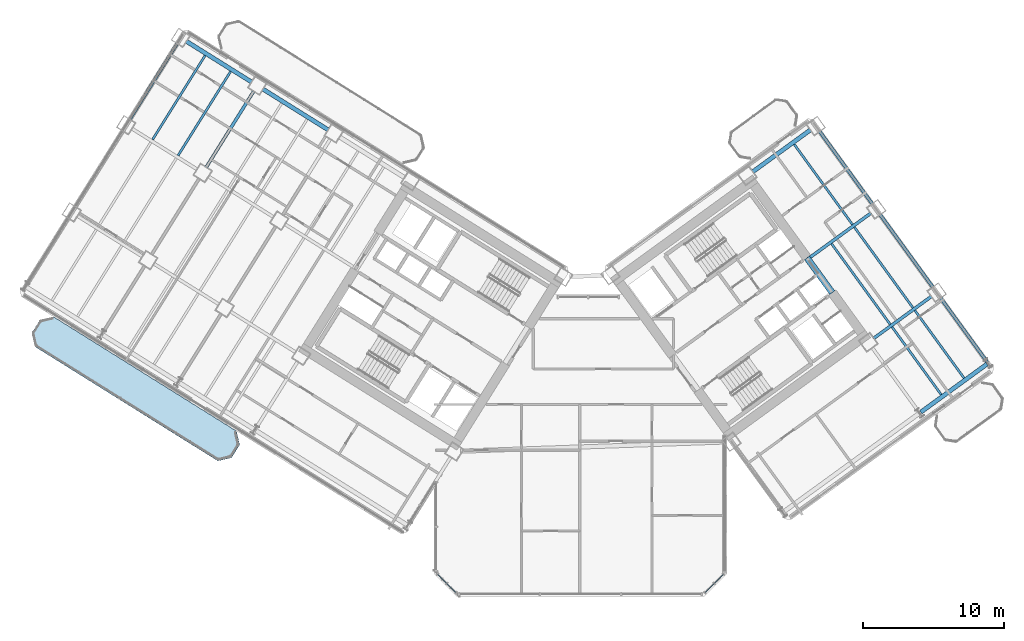
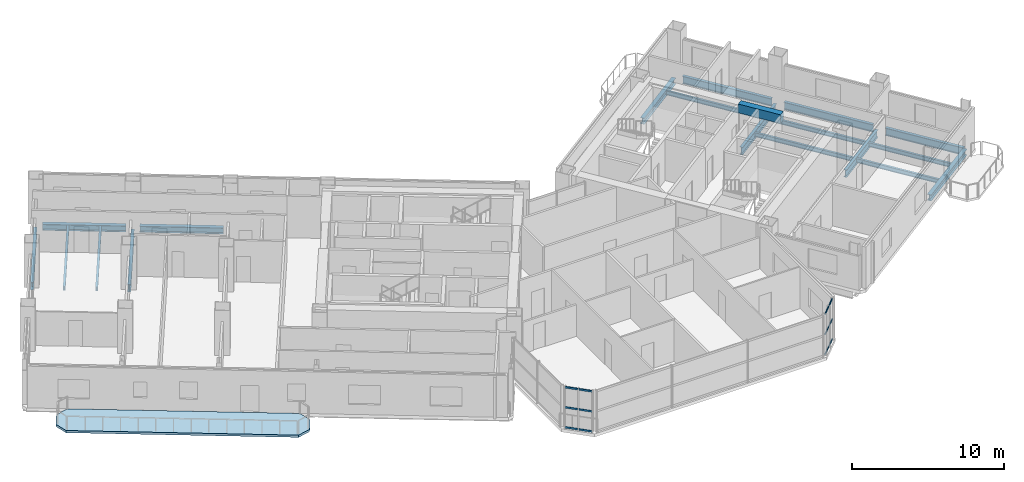
# One storey, part 12 of 28: 19 beams, 12 members, 1 slab, 2 elements without a shape of their own.
"""IFC4 building model written with IfcOpenShell, lengths in metres."""

from ifc_helpers import new_model, si_unit, direction, frame, origin, origin_2d, place, context, subcontext, project, spatial, polyline, rectangle, hollow_rectangle, i_section, outline, extrude, source, transform, mapped, material, layer, layer_set, material_profile, profile_set, type_object, element, aggregate, save


model = new_model("IFC4")

# Units and contexts
model_context = context("Model", 3, precision=1e-05, world=origin(), true_north=direction((0.0, 1.0)))
body_context = subcontext(model_context, "Body", "Model", "MODEL_VIEW")
ifc_project = project(units=[si_unit("LENGTHUNIT", "METRE"), si_unit("AREAUNIT", "SQUARE_METRE"), si_unit("VOLUMEUNIT", "CUBIC_METRE"), si_unit("PLANEANGLEUNIT", "RADIAN"), si_unit("MASSUNIT", "GRAM", prefix="KILO")], contexts=[model_context])

# Site, building, storey
site_placement = place(None, origin())
site = spatial("IfcSite", under=ifc_project, at=site_placement, CompositionType="ELEMENT")
building_placement = place(site_placement, origin())
building = spatial("IfcBuilding", under=site, at=building_placement, Name="Tlacorven Tower", CompositionType="ELEMENT")
storey_placement = place(building_placement, frame((0.0, 0.0, 34.800048828125)))
storey = spatial("IfcBuildingStorey", under=building, at=storey_placement, Name="L08", CompositionType="ELEMENT", Elevation=34.800048828125)

# Beams
ifc_material_1 = material(Name="Concrete C60/75", Category="concrete")
ifc_material_profile_1 = material_profile(ifc_material_1, rectangle(XDim=0.449951171875, YDim=0.699951171875, at=origin_2d()), Name="RC 450X700")
ifc_profile_set_1 = profile_set([ifc_material_profile_1], Name="Concrete C60/75")
beam_type_1 = type_object("IfcBeamType", Name="BM-LNT-700", PredefinedType="LINTEL", material=ifc_profile_set_1)
shared_shape_1 = source(origin(), body_context, "Body", "SweptSolid", [
    extrude(rectangle(XDim=0.449951171875, YDim=0.699951171875, at=origin_2d()), origin(), (0.0, 0.0, 1.0), 3.050048828125),
])
beam_1_placement = place(storey_placement, frame((59.856689453125, 23.345947265625, 3.0), z_axis=(-0.587776590479, 0.80902328748, 0.0), x_axis=(-0.80902328748, -0.587776590479, 0.0)))
element("IfcBeam", 1, at=beam_1_placement, inside=storey, type_object=beam_type_1, Name="L08 E core coupling lintel beam E2", PredefinedType="LINTEL", context=body_context, shape_type="MappedRepresentation", body=[
    mapped(shared_shape_1, transform((0.0, 0.0, 0.0), scale=1.0)),
])
ifc_material_2 = material(Name="Steel S355J2", Category="steel")
ifc_material_profile_2 = material_profile(ifc_material_2, i_section(OverallWidth=0.300048828125, OverallDepth=0.489990234375, WebThickness=0.011962890625, FlangeThickness=0.02294921875, at=origin_2d()), Name="HEA 500")
ifc_profile_set_2 = profile_set([ifc_material_profile_2], Name="Steel S355J2")
beam_type_2 = type_object("IfcBeamType", Name="BM-SPN-500", PredefinedType="SPANDREL", material=ifc_profile_set_2)
shared_shape_2 = source(origin(), body_context, "Body", "SweptSolid", [
    extrude(i_section(OverallWidth=0.300048828125, OverallDepth=0.489990234375, WebThickness=0.011962890625, FlangeThickness=0.02294921875, at=origin_2d()), origin(), (0.0, 0.0, 1.0), 5.5),
])
for number, where, z_axis, x_axis, name in (
    (2, (24.118896484375, 34.88134765625, -0.4951171875), (-0.848050668838, 0.52991514706, 0.0), (-0.52991514706, -0.848050668838, 0.0), "L08 beam BM-L08-WL1-4"),
    (3, (18.69140625, 38.272705078125, -0.4951171875), (-0.848050668838, 0.52991514706, 0.0), (-0.52991514706, -0.848050668838, 0.0), "L08 beam BM-L08-WL1-5"),
):
    element("IfcBeam", number, at=place(storey_placement, frame(where, z_axis=z_axis, x_axis=x_axis)), inside=storey, type_object=beam_type_2, Name=name, PredefinedType="SPANDREL", context=body_context, shape_type="MappedRepresentation", body=[
        mapped(shared_shape_2, transform((0.0, 0.0, 0.0), scale=1.0)),
    ])
ifc_material_profile_3 = material_profile(ifc_material_2, i_section(OverallWidth=0.219970703125, OverallDepth=0.60009765625, WebThickness=0.011962890625, FlangeThickness=0.01904296875, at=origin_2d()), Name="IPE 600")
ifc_profile_set_3 = profile_set([ifc_material_profile_3], Name="Steel S355J2")
beam_type_3 = type_object("IfcBeamType", Name="BM-TWR-600", PredefinedType="BEAM", material=ifc_profile_set_3)
shared_shape_3 = source(origin(), body_context, "Body", "SweptSolid", [
    extrude(i_section(OverallWidth=0.219970703125, OverallDepth=0.60009765625, WebThickness=0.011962890625, FlangeThickness=0.01904296875, at=origin_2d()), origin(), (0.0, 0.0, 1.0), 5.650146484375),
])
beam_2_placement = place(storey_placement, frame((70.853271484375, 18.41845703125, -0.550048828125), z_axis=(-0.587783675561, 0.809018139935, 0.0), x_axis=(-0.809018139935, -0.587783675561, 0.0)))
element("IfcBeam", 4, at=beam_2_placement, inside=storey, type_object=beam_type_3, Name="L08 beam BM-L08-ET4-1", PredefinedType="BEAM", context=body_context, shape_type="MappedRepresentation", body=[
    mapped(shared_shape_3, transform((0.0, 0.0, 0.0), scale=1.0)),
])
shared_shape_4 = source(origin(), body_context, "Body", "SweptSolid", [
    extrude(i_section(OverallWidth=0.219970703125, OverallDepth=0.60009765625, WebThickness=0.011962890625, FlangeThickness=0.01904296875, at=origin_2d()), origin(), (0.0, 0.0, 1.0), 6.39990234375),
])
for number, where, z_axis, x_axis, name in (
    (5, (67.003173828125, 23.717529296875, -0.550048828125), (-0.587772420479, 0.809026317077, 0.0), (-0.809026317077, -0.587772420479, 0.0), "L08 beam BM-L08-ET4-2"),
    (6, (62.71240234375, 29.62353515625, -0.550048828125), (-0.587815528162, 0.808994996803, 0.0), (-0.808994996803, -0.587815528162, 0.0), "L08 beam BM-L08-ET4-3"),
):
    element("IfcBeam", number, at=place(storey_placement, frame(where, z_axis=z_axis, x_axis=x_axis)), inside=storey, type_object=beam_type_3, Name=name, PredefinedType="BEAM", context=body_context, shape_type="MappedRepresentation", body=[
        mapped(shared_shape_4, transform((0.0, 0.0, 0.0), scale=1.0)),
    ])
shared_shape_5 = source(origin(), body_context, "Body", "SweptSolid", [
    extrude(i_section(OverallWidth=0.219970703125, OverallDepth=0.60009765625, WebThickness=0.011962890625, FlangeThickness=0.01904296875, at=origin_2d()), origin(), (0.0, 0.0, 1.0), 6.400146484375),
])
for number, where, z_axis, x_axis, name in (
    (7, (18.83447265625, 37.652587890625, -0.550048828125), (-0.529933789039, -0.848039019877, 0.0), (0.848039019877, -0.529933789039, 0.0), "L08 beam BM-L08-WT5-1"),
    (8, (13.406982421875, 41.044189453125, -0.550048828125), (-0.529933789039, -0.848039019877, 0.0), (0.848039019877, -0.529933789039, 0.0), "L08 beam BM-L08-WT6-1"),
):
    element("IfcBeam", number, at=place(storey_placement, frame(where, z_axis=z_axis, x_axis=x_axis)), inside=storey, type_object=beam_type_3, Name=name, PredefinedType="BEAM", context=body_context, shape_type="MappedRepresentation", body=[
        mapped(shared_shape_5, transform((0.0, 0.0, 0.0), scale=1.0)),
    ])
ifc_material_profile_4 = material_profile(ifc_material_2, i_section(OverallWidth=0.159912109375, OverallDepth=0.330078125, WebThickness=0.007568359375, FlangeThickness=0.011474609375, at=origin_2d()), Name="IPE 330")
ifc_profile_set_4 = profile_set([ifc_material_profile_4], Name="Steel S355J2")
beam_type_4 = type_object("IfcBeamType", Name="BM-JST-330", PredefinedType="JOIST", material=ifc_profile_set_4)
shared_shape_6 = source(origin(), body_context, "Body", "SweptSolid", [
    extrude(i_section(OverallWidth=0.159912109375, OverallDepth=0.330078125, WebThickness=0.007568359375, FlangeThickness=0.011474609375, at=origin_2d()), origin(), (0.0, 0.0, 1.0), 7.030029296875),
])
for number, where, z_axis, x_axis, name in (
    (9, (17.181640625, 39.033447265625, -0.4150390625), (-0.529911532383, -0.848052927504, 0.0), (0.848052927504, -0.529911532383, 0.0), "L08 beam BM-L08-WJ5-1-1"),
    (10, (15.372314453125, 40.163818359375, -0.4150390625), (-0.529927139185, -0.84804317529, 0.0), (0.84804317529, -0.529927139185, 0.0), "L08 beam BM-L08-WJ5-1-2"),
    (11, (61.291259765625, 28.1767578125, -0.4150390625), (-0.587773097846, 0.809025824958, 0.0), (-0.809025824958, -0.587773097846, 0.0), "L08 beam BM-L08-EJ3-3-2"),
):
    element("IfcBeam", number, at=place(storey_placement, frame(where, z_axis=z_axis, x_axis=x_axis)), inside=storey, type_object=beam_type_4, Name=name, PredefinedType="JOIST", context=body_context, shape_type="MappedRepresentation", body=[
        mapped(shared_shape_6, transform((0.0, 0.0, 0.0), scale=1.0)),
    ])
shared_shape_7 = source(origin(), body_context, "Body", "SweptSolid", [
    extrude(i_section(OverallWidth=0.159912109375, OverallDepth=0.330078125, WebThickness=0.007568359375, FlangeThickness=0.011474609375, at=origin_2d()), origin(), (0.0, 0.0, 1.0), 5.93017578125),
])
for number, where, z_axis, x_axis, name in (
    (12, (67.584716796875, 16.11181640625, -0.4150390625), (-0.587777512947, 0.809022617282, 0.0), (-0.809022617282, -0.587777512947, 0.0), "L08 beam BM-L08-EJ3-1-1"),
    (13, (69.202880859375, 17.287353515625, -0.4150390625), (-0.587777512947, 0.809022617282, 0.0), (-0.809022617282, -0.587777512947, 0.0), "L08 beam BM-L08-EJ3-1-2"),
):
    element("IfcBeam", number, at=place(storey_placement, frame(where, z_axis=z_axis, x_axis=x_axis)), inside=storey, type_object=beam_type_4, Name=name, PredefinedType="JOIST", context=body_context, shape_type="MappedRepresentation", body=[
        mapped(shared_shape_7, transform((0.0, 0.0, 0.0), scale=1.0)),
    ])
shared_shape_8 = source(origin(), body_context, "Body", "SweptSolid", [
    extrude(i_section(OverallWidth=0.159912109375, OverallDepth=0.330078125, WebThickness=0.007568359375, FlangeThickness=0.011474609375, at=origin_2d()), origin(), (0.0, 0.0, 1.0), 7.070068359375),
])
beam_3_placement = place(storey_placement, frame((63.964111328125, 21.095458984375, -0.4150390625), z_axis=(-0.587797946309, 0.80900777148, 0.0), x_axis=(-0.80900777148, -0.587797946309, 0.0)))
element("IfcBeam", 14, at=beam_3_placement, inside=storey, type_object=beam_type_4, Name="L08 beam BM-L08-EJ3-2-1", PredefinedType="JOIST", context=body_context, shape_type="MappedRepresentation", body=[
    mapped(shared_shape_8, transform((0.0, 0.0, 0.0), scale=1.0)),
])
shared_shape_9 = source(origin(), body_context, "Body", "SweptSolid", [
    extrude(i_section(OverallWidth=0.159912109375, OverallDepth=0.330078125, WebThickness=0.007568359375, FlangeThickness=0.011474609375, at=origin_2d()), origin(), (0.0, 0.0, 1.0), 7.06982421875),
])
beam_4_placement = place(storey_placement, frame((65.58203125, 22.27099609375, -0.4150390625), z_axis=(-0.58777534487, 0.809024192446, 0.0), x_axis=(-0.809024192446, -0.58777534487, 0.0)))
element("IfcBeam", 15, at=beam_4_placement, inside=storey, type_object=beam_type_4, Name="L08 beam BM-L08-EJ3-2-2", PredefinedType="JOIST", context=body_context, shape_type="MappedRepresentation", body=[
    mapped(shared_shape_9, transform((0.0, 0.0, 0.0), scale=1.0)),
])
shared_shape_10 = source(origin(), body_context, "Body", "SweptSolid", [
    extrude(i_section(OverallWidth=0.300048828125, OverallDepth=0.489990234375, WebThickness=0.011962890625, FlangeThickness=0.02294921875, at=origin_2d()), origin(), (0.0, 0.0, 1.0), 5.800048828125),
])
beam_5_placement = place(storey_placement, frame((66.138671875, 14.86962890625, -0.4951171875), z_axis=(0.809019944521, 0.587781191743, 0.0), x_axis=(-0.587781191743, 0.809019944521, 0.0)))
element("IfcBeam", 16, at=beam_5_placement, inside=storey, type_object=beam_type_2, Name="L08 beam BM-L08-EL1-3", PredefinedType="SPANDREL", context=body_context, shape_type="MappedRepresentation", body=[
    mapped(shared_shape_10, transform((0.0, 0.0, 0.0), scale=1.0)),
])
shared_shape_11 = source(origin(), body_context, "Body", "SweptSolid", [
    extrude(i_section(OverallWidth=0.219970703125, OverallDepth=0.60009765625, WebThickness=0.011962890625, FlangeThickness=0.01904296875, at=origin_2d()), origin(), (0.0, 0.0, 1.0), 5.10009765625),
])
beam_6_placement = place(storey_placement, frame((62.777587890625, 20.09130859375, -0.550048828125), z_axis=(0.809007176828, 0.58779876475, 0.0), x_axis=(-0.58779876475, 0.809007176828, 0.0)))
element("IfcBeam", 17, at=beam_6_placement, inside=storey, type_object=beam_type_3, Name="L08 beam BM-L08-EL2-3", PredefinedType="BEAM", context=body_context, shape_type="MappedRepresentation", body=[
    mapped(shared_shape_11, transform((0.0, 0.0, 0.0), scale=1.0)),
])
shared_shape_12 = source(origin(), body_context, "Body", "SweptSolid", [
    extrude(i_section(OverallWidth=0.219970703125, OverallDepth=0.60009765625, WebThickness=0.011962890625, FlangeThickness=0.01904296875, at=origin_2d()), origin(), (0.0, 0.0, 1.0), 5.510009765625),
])
beam_7_placement = place(storey_placement, frame((58.155029296875, 25.756103515625, -0.550048828125), z_axis=(0.809015730594, 0.587786991734, 0.0), x_axis=(-0.587786991734, 0.809015730594, 0.0)))
element("IfcBeam", 18, at=beam_7_placement, inside=storey, type_object=beam_type_3, Name="L08 beam BM-L08-EL3-3", PredefinedType="BEAM", context=body_context, shape_type="MappedRepresentation", body=[
    mapped(shared_shape_12, transform((0.0, 0.0, 0.0), scale=1.0)),
])
shared_shape_13 = source(origin(), body_context, "Body", "SweptSolid", [
    extrude(i_section(OverallWidth=0.300048828125, OverallDepth=0.489990234375, WebThickness=0.011962890625, FlangeThickness=0.02294921875, at=origin_2d()), origin(), (0.0, 0.0, 1.0), 5.099853515625),
])
beam_8_placement = place(storey_placement, frame((54.196044921875, 31.903076171875, -0.4951171875), z_axis=(0.809029940764, 0.587767432704, 0.0), x_axis=(-0.587767432704, 0.809029940764, 0.0)))
element("IfcBeam", 19, at=beam_8_placement, inside=storey, type_object=beam_type_2, Name="L08 beam BM-L08-EL4-3", PredefinedType="SPANDREL", context=body_context, shape_type="MappedRepresentation", body=[
    mapped(shared_shape_13, transform((0.0, 0.0, 0.0), scale=1.0)),
])

# Curtain wall, members
ifc_material_3 = material(Name="Dark solar low-E double glazing in aluminium frame", Category="aluminium")
curtain_wall_type = type_object("IfcCurtainWallType", Name="CW-TWR-LOW", PredefinedType="USERDEFINED", material=ifc_material_3)
curtain_wall_1_placement = place(storey_placement, origin())
curtain_wall_1 = element("IfcCurtainWall", 20, at=curtain_wall_1_placement, inside=storey, type_object=curtain_wall_type, Name="L08 CW-TWR-LOW Curtain Wall 39", ObjectType="UNITISED CURTAIN WALL", PredefinedType="USERDEFINED")
ifc_material_4 = material(Name="Aluminium 6063-T6 anodised", Category="aluminium")
ifc_material_profile_5 = material_profile(ifc_material_4, hollow_rectangle(XDim=0.06005859375, YDim=0.139892578125, WallThickness=0.00390625, at=origin_2d()), Name="ALU TRANSOM 60X140")
ifc_profile_set_5 = profile_set([ifc_material_profile_5], Name="Aluminium 6063-T6 anodised")
member_type = type_object("IfcMemberType", Name="CWT-02", PredefinedType="USERDEFINED", material=ifc_profile_set_5)
shared_shape_14 = source(origin(), body_context, "Body", "SweptSolid", [
    extrude(hollow_rectangle(XDim=0.06005859375, YDim=0.139892578125, WallThickness=0.00390625, at=origin_2d()), origin(), (0.0, 0.0, 1.0), 0.8837890625),
])
member_1_placement = place(storey_placement, frame((52.128173828125, 3.3544921875, 0.070068359375), z_axis=(-0.707106781187, -0.707106781187, 0.0), x_axis=(0.707106781187, -0.707106781187, 0.0)))
member_1 = element("IfcMember", 21, at=member_1_placement, type_object=member_type, Name="CW-L08-039 Transom 1", ObjectType="TRANSOM", PredefinedType="USERDEFINED", context=body_context, shape_type="MappedRepresentation", body=[
    mapped(shared_shape_14, transform((0.0, 0.0, 0.0), scale=1.0)),
])
member_2_placement = place(storey_placement, frame((52.128173828125, 3.3544921875, 1.675048828125), z_axis=(-0.707106781187, -0.707106781187, 0.0), x_axis=(0.707106781187, -0.707106781187, 0.0)))
member_2 = element("IfcMember", 22, at=member_2_placement, type_object=member_type, Name="CW-L08-039 Transom 2", ObjectType="TRANSOM", PredefinedType="USERDEFINED", context=body_context, shape_type="MappedRepresentation", body=[
    mapped(shared_shape_14, transform((0.0, 0.0, 0.0), scale=1.0)),
])
member_3_placement = place(storey_placement, frame((52.128173828125, 3.3544921875, 3.280029296875), z_axis=(-0.707106781187, -0.707106781187, 0.0), x_axis=(0.707106781187, -0.707106781187, 0.0)))
member_3 = element("IfcMember", 23, at=member_3_placement, type_object=member_type, Name="CW-L08-039 Transom 3", ObjectType="TRANSOM", PredefinedType="USERDEFINED", context=body_context, shape_type="MappedRepresentation", body=[
    mapped(shared_shape_14, transform((0.0, 0.0, 0.0), scale=1.0)),
])

curtain_wall_2_placement = place(storey_placement, origin())
curtain_wall_2 = element("IfcCurtainWall", 24, at=curtain_wall_2_placement, inside=storey, type_object=curtain_wall_type, Name="L08 CW-TWR-LOW Curtain Wall 41", ObjectType="UNITISED CURTAIN WALL", PredefinedType="USERDEFINED")
member_4_placement = place(storey_placement, frame((32.496826171875, 2.7294921875, 0.070068359375), z_axis=(-0.707106781187, 0.707106781187, 0.0), x_axis=(-0.707106781187, -0.707106781187, 0.0)))
member_4 = element("IfcMember", 25, at=member_4_placement, type_object=member_type, Name="CW-L08-041 Transom 4", ObjectType="TRANSOM", PredefinedType="USERDEFINED", context=body_context, shape_type="MappedRepresentation", body=[
    mapped(shared_shape_14, transform((0.0, 0.0, 0.0), scale=1.0)),
])
member_5_placement = place(storey_placement, frame((32.496826171875, 2.7294921875, 1.675048828125), z_axis=(-0.707106781187, 0.707106781187, 0.0), x_axis=(-0.707106781187, -0.707106781187, 0.0)))
member_5 = element("IfcMember", 26, at=member_5_placement, type_object=member_type, Name="CW-L08-041 Transom 5", ObjectType="TRANSOM", PredefinedType="USERDEFINED", context=body_context, shape_type="MappedRepresentation", body=[
    mapped(shared_shape_14, transform((0.0, 0.0, 0.0), scale=1.0)),
])
member_6_placement = place(storey_placement, frame((32.496826171875, 2.7294921875, 3.280029296875), z_axis=(-0.707106781187, 0.707106781187, 0.0), x_axis=(-0.707106781187, -0.707106781187, 0.0)))
member_6 = element("IfcMember", 27, at=member_6_placement, type_object=member_type, Name="CW-L08-041 Transom 6", ObjectType="TRANSOM", PredefinedType="USERDEFINED", context=body_context, shape_type="MappedRepresentation", body=[
    mapped(shared_shape_14, transform((0.0, 0.0, 0.0), scale=1.0)),
])

# Member
shared_shape_15 = source(origin(), body_context, "Body", "SweptSolid", [
    extrude(hollow_rectangle(XDim=0.06005859375, YDim=0.139892578125, WallThickness=0.00390625, at=origin_2d()), origin(), (0.0, 0.0, 1.0), 0.884033203125),
])
member_7_placement = place(storey_placement, frame((51.470703125, 2.69677734375, 0.070068359375), z_axis=(-0.707244847527, -0.706968687883, 0.0), x_axis=(0.706968687883, -0.707244847527, 0.0)))
member_7 = element("IfcMember", 28, at=member_7_placement, type_object=member_type, Name="CW-L08-039 Transom 4", ObjectType="TRANSOM", PredefinedType="USERDEFINED", context=body_context, shape_type="MappedRepresentation", body=[
    mapped(shared_shape_15, transform((0.0, 0.0, 0.0), scale=1.0)),
])

member_8_placement = place(storey_placement, frame((51.470703125, 2.69677734375, 1.675048828125), z_axis=(-0.707244847527, -0.706968687883, 0.0), x_axis=(0.706968687883, -0.707244847527, 0.0)))
member_8 = element("IfcMember", 29, at=member_8_placement, type_object=member_type, Name="CW-L08-039 Transom 5", ObjectType="TRANSOM", PredefinedType="USERDEFINED", context=body_context, shape_type="MappedRepresentation", body=[
    mapped(shared_shape_15, transform((0.0, 0.0, 0.0), scale=1.0)),
])

member_9_placement = place(storey_placement, frame((51.470703125, 2.69677734375, 3.280029296875), z_axis=(-0.707244847527, -0.706968687883, 0.0), x_axis=(0.706968687883, -0.707244847527, 0.0)))
member_9 = element("IfcMember", 30, at=member_9_placement, type_object=member_type, Name="CW-L08-039 Transom 6", ObjectType="TRANSOM", PredefinedType="USERDEFINED", context=body_context, shape_type="MappedRepresentation", body=[
    mapped(shared_shape_15, transform((0.0, 0.0, 0.0), scale=1.0)),
])

aggregate(curtain_wall_1, [member_1, member_2, member_3, member_7, member_8, member_9])

member_10_placement = place(storey_placement, frame((33.154541015625, 2.07177734375, 0.070068359375), z_axis=(-0.707244847527, 0.706968687883, 0.0), x_axis=(-0.706968687883, -0.707244847527, 0.0)))
member_10 = element("IfcMember", 31, at=member_10_placement, type_object=member_type, Name="CW-L08-041 Transom 1", ObjectType="TRANSOM", PredefinedType="USERDEFINED", context=body_context, shape_type="MappedRepresentation", body=[
    mapped(shared_shape_15, transform((0.0, 0.0, 0.0), scale=1.0)),
])

member_11_placement = place(storey_placement, frame((33.154541015625, 2.07177734375, 1.675048828125), z_axis=(-0.707244847527, 0.706968687883, 0.0), x_axis=(-0.706968687883, -0.707244847527, 0.0)))
member_11 = element("IfcMember", 32, at=member_11_placement, type_object=member_type, Name="CW-L08-041 Transom 2", ObjectType="TRANSOM", PredefinedType="USERDEFINED", context=body_context, shape_type="MappedRepresentation", body=[
    mapped(shared_shape_15, transform((0.0, 0.0, 0.0), scale=1.0)),
])

member_12_placement = place(storey_placement, frame((33.154541015625, 2.07177734375, 3.280029296875), z_axis=(-0.707244847527, 0.706968687883, 0.0), x_axis=(-0.706968687883, -0.707244847527, 0.0)))
member_12 = element("IfcMember", 33, at=member_12_placement, type_object=member_type, Name="CW-L08-041 Transom 3", ObjectType="TRANSOM", PredefinedType="USERDEFINED", context=body_context, shape_type="MappedRepresentation", body=[
    mapped(shared_shape_15, transform((0.0, 0.0, 0.0), scale=1.0)),
])

aggregate(curtain_wall_2, [member_10, member_11, member_12, member_4, member_5, member_6])

# Slab
ifc_material_5 = material(Name="Precast concrete C45/55", Category="concrete")
ifc_layer = layer(ifc_material_5, 0.179931640625)
ifc_layer_set = layer_set([ifc_layer], Name="Precast concrete C45/55")
slab_type = type_object("IfcSlabType", Name="SL-BAL-180", PredefinedType="USERDEFINED", material=ifc_layer_set)
slab_placement = place(storey_placement, frame((0.0, 0.0, -0.179931640625)))
element("IfcSlab", 34, at=slab_placement, inside=storey, type_object=slab_type, Name="L08 West Wing Balcony Ribbon OUT", ObjectType="BALCONY SLAB", PredefinedType="USERDEFINED", context=body_context, shape_type="SweptSolid", body=[
    extrude(outline(polyline([(17.601318359375, 13.52490234375), (4.626220703125, 21.632568359375), (3.66162109375, 21.409912109375), (3.081298828125, 20.4814453125), (3.303955078125, 19.516845703125), (16.279052734375, 11.408935546875), (17.24365234375, 11.6318359375), (17.823974609375, 12.560302734375), (17.601318359375, 13.52490234375)])), origin(), (0.0, 0.0, 1.0), 0.179931640625),
])

save(model, "model.ifc")
